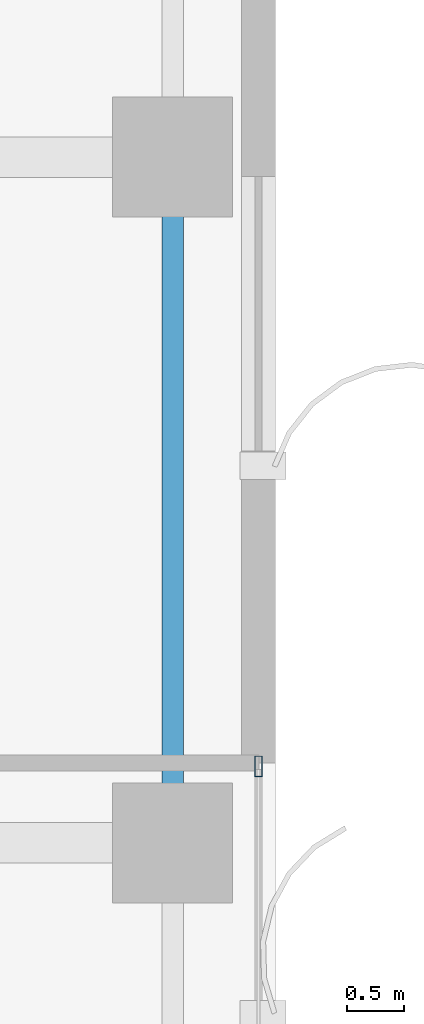
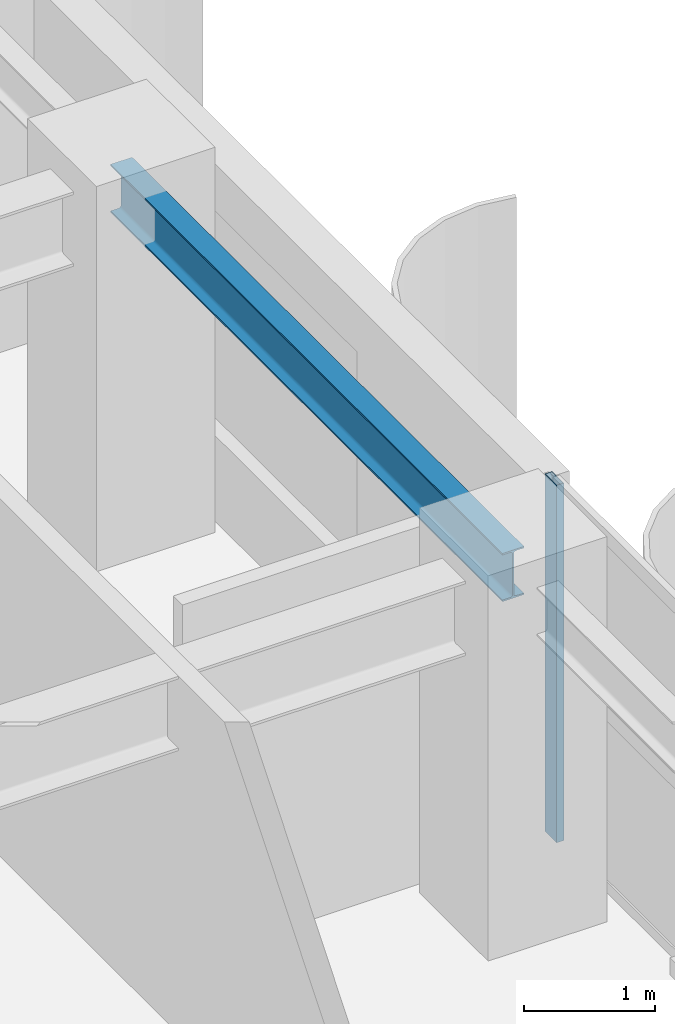
# One storey, part 13 of 23: 1 beam, 1 member, 1 element without a shape of its own.
"""IFC4 building model written with IfcOpenShell, lengths in metres."""

from ifc_helpers import new_model, si_unit, direction, frame, origin, origin_2d, place, context, subcontext, project, spatial, hollow_rectangle, i_section, extrude, source, transform, mapped, material, layer, layer_set, material_profile, profile_set, type_object, element, aggregate, save


model = new_model("IFC4")

# Units and contexts
model_context = context("Model", 3, precision=1e-05, world=origin(), true_north=direction((0.0, 1.0)))
body_context = subcontext(model_context, "Body", "Model", "MODEL_VIEW")
ifc_project = project(units=[si_unit("LENGTHUNIT", "METRE"), si_unit("AREAUNIT", "SQUARE_METRE"), si_unit("VOLUMEUNIT", "CUBIC_METRE"), si_unit("PLANEANGLEUNIT", "RADIAN"), si_unit("MASSUNIT", "GRAM", prefix="KILO")], contexts=[model_context])

# Site, building, storey
site_placement = place(None, origin())
site = spatial("IfcSite", under=ifc_project, at=site_placement, CompositionType="ELEMENT")
building_placement = place(site_placement, origin())
building = spatial("IfcBuilding", under=site, at=building_placement, Name="Khoralis Quay Care Tower", CompositionType="ELEMENT")
storey_placement = place(building_placement, frame((0.0, 0.0, 83.699951171875)))
storey = spatial("IfcBuildingStorey", under=building, at=storey_placement, Name="L21", CompositionType="ELEMENT", Elevation=83.699951171875)

# Beam
ifc_material_1 = material(Name="Steel S355", Category="steel")
ifc_material_profile_1 = material_profile(ifc_material_1, i_section(OverallWidth=0.18994140625, OverallDepth=0.449951171875, WebThickness=0.009521484375, FlangeThickness=0.0146484375, FilletRadius=0.02099609375, at=origin_2d()), Name="Steel S355")
ifc_profile_set_1 = profile_set([ifc_material_profile_1], Name="Steel S355")
beam_type = type_object("IfcBeamType", Name="BM-IPE450", PredefinedType="SPANDREL", material=ifc_profile_set_1)
shared_shape_1 = source(origin(), body_context, "Body", "SweptSolid", [
    extrude(i_section(OverallWidth=0.18994140625, OverallDepth=0.449951171875, WebThickness=0.009521484375, FlangeThickness=0.0146484375, FilletRadius=0.02099609375, at=origin_2d()), origin(), (0.0, 0.0, 1.0), 6.0),
])
beam_placement = place(storey_placement, frame((44.10009765625, 24.0, 3.114990234375), z_axis=(0.0, 1.0, 0.0), x_axis=(-1.0, 0.0, 0.0)))
element("IfcBeam", 1, at=beam_placement, inside=storey, type_object=beam_type, Name="BM-TSP-L21-19", PredefinedType="SPANDREL", context=body_context, shape_type="MappedRepresentation", body=[
    mapped(shared_shape_1, transform((0.0, 0.0, 0.0), scale=1.0)),
])

# Curtain wall, member
ifc_material_2 = material(Name="Pale anodised aluminium", Category="aluminium")
ifc_layer = layer(ifc_material_2, 0.169921875)
ifc_layer_set = layer_set([ifc_layer], Name="Pale anodised aluminium")
curtain_wall_type = type_object("IfcCurtainWallType", Name="CW-SYS-Z2", PredefinedType="NOTDEFINED", material=ifc_layer_set)
curtain_wall_placement = place(storey_placement, origin())
curtain_wall = element("IfcCurtainWall", 2, at=curtain_wall_placement, inside=storey, type_object=curtain_wall_type, Name="L21 Unitised Curtain Wall CW-L21-P1-E5", PredefinedType="NOTDEFINED")
ifc_material_profile_2 = material_profile(ifc_material_2, hollow_rectangle(XDim=0.06494140625, YDim=0.179931640625, WallThickness=0.00390625, at=origin_2d()), Name="Pale anodised aluminium")
ifc_profile_set_2 = profile_set([ifc_material_profile_2], Name="Pale anodised aluminium")
member_type = type_object("IfcMemberType", Name="CW-MUL-180", PredefinedType="MULLION", material=ifc_profile_set_2)
shared_shape_2 = source(origin(), body_context, "Body", "SweptSolid", [
    extrude(hollow_rectangle(XDim=0.06494140625, YDim=0.179931640625, WallThickness=0.00390625, at=origin_2d()), origin(), (0.0, 0.0, 1.0), 3.340087890625),
])
member_placement = place(storey_placement, frame((44.85009765625, 24.669921875, 0.0), z_axis=(0.0, 0.0, 1.0), x_axis=(-1.0, 0.0, 0.0)))
member = element("IfcMember", 3, at=member_placement, type_object=member_type, Name="CW2 mullion 4", PredefinedType="MULLION", context=body_context, shape_type="MappedRepresentation", body=[
    mapped(shared_shape_2, transform((0.0, 0.0, 0.0), scale=1.0)),
])
aggregate(curtain_wall, [member])

save(model, "model.ifc")
